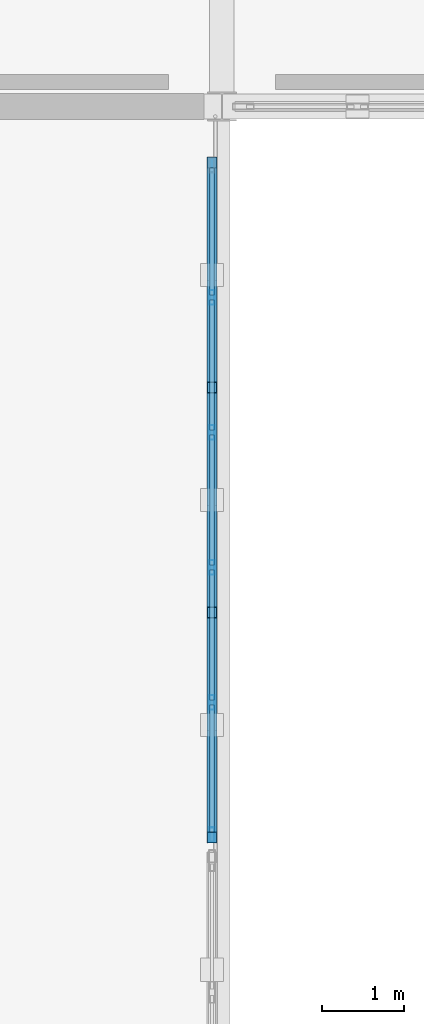
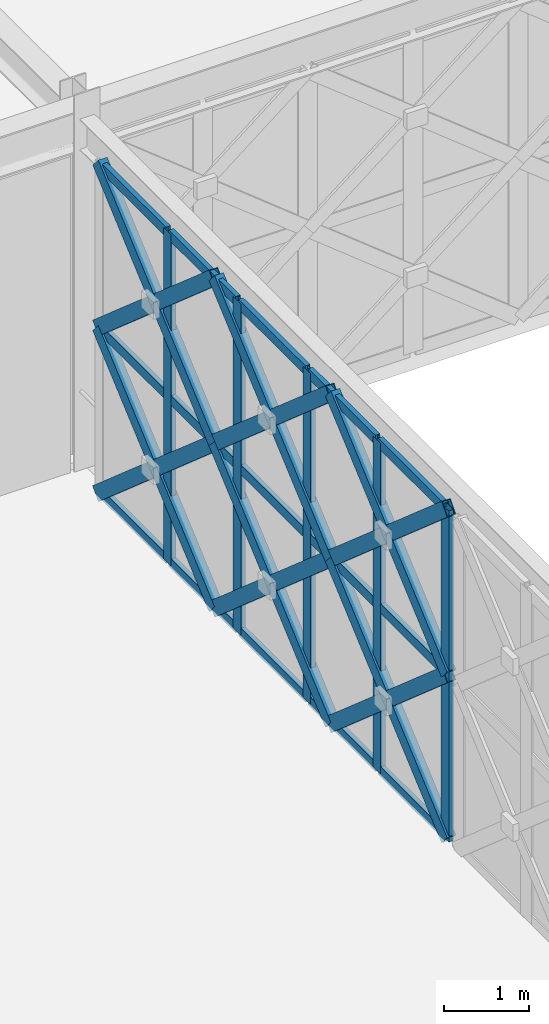
# One storey, part 109 of 166: 38 members, 1 element without a shape of its own.
"""IFC4 building model written with IfcOpenShell, lengths in metres."""

from ifc_helpers import new_model, si_unit, direction, frame, origin, origin_2d, place, context, subcontext, project, spatial, hollow_rectangle, extrude, material, material_profile, profile_set, type_object, element, aggregate, save


model = new_model("IFC4")

# Units and contexts
model_context = context("Model", 3, precision=1e-05, world=origin(), true_north=direction((0.0, 1.0)))
body_context = subcontext(model_context, "Body", "Model", "MODEL_VIEW")
ifc_project = project(units=[si_unit("LENGTHUNIT", "METRE"), si_unit("AREAUNIT", "SQUARE_METRE"), si_unit("VOLUMEUNIT", "CUBIC_METRE"), si_unit("PLANEANGLEUNIT", "RADIAN"), si_unit("MASSUNIT", "GRAM", prefix="KILO")], contexts=[model_context])

# Site, building, storey
site_placement = place(None, origin())
site = spatial("IfcSite", under=ifc_project, at=site_placement, CompositionType="ELEMENT")
building_placement = place(site_placement, origin())
building = spatial("IfcBuilding", under=site, at=building_placement, Name="Haizhuo Lancet Aquarium", CompositionType="ELEMENT")
storey_placement = place(building_placement, frame((0.0, 0.0, 5.39990234375)))
storey = spatial("IfcBuildingStorey", under=building, at=storey_placement, Name="L01", CompositionType="ELEMENT", Elevation=5.39990234375)

# Curtain wall, members
ifc_material_1 = material(Name="Aluminium 6063-T6", Category="aluminium")
curtain_wall_type = type_object("IfcCurtainWallType", Name="CWO-8200x4750", PredefinedType="NOTDEFINED", material=ifc_material_1)
curtain_wall_placement = place(storey_placement, origin())
curtain_wall = element("IfcCurtainWall", 1, at=curtain_wall_placement, inside=storey, type_object=curtain_wall_type, Name="L01 curtain wall CW-SB-02-E2", PredefinedType="NOTDEFINED")
ifc_material_profile_1 = material_profile(ifc_material_1, hollow_rectangle(XDim=0.06494140625, YDim=0.179931640625, WallThickness=0.00390625, at=origin_2d()), Name="ALU-M 65x180x4")
ifc_profile_set_1 = profile_set([ifc_material_profile_1], Name="Aluminium 6063-T6")
member_type_1 = type_object("IfcMemberType", Name="CW-MUL-1", PredefinedType="MULLION", material=ifc_profile_set_1)
member_1_placement = place(storey_placement, frame((62.8798828125, 6.679931640625, 0.0), z_axis=(0.0, 0.0, 1.0), x_axis=(1.0, 0.0, 0.0)))
member_1 = element("IfcMember", 2, at=member_1_placement, type_object=member_type_1, Name="CWO-82x47 mullion 2", PredefinedType="MULLION", context=body_context, shape_type="SweptSolid", body=[
    extrude(hollow_rectangle(XDim=0.06494140625, YDim=0.179931640625, WallThickness=0.00390625, at=origin_2d()), origin(), (0.0, 0.0, 1.0), 4.75),
])
member_2_placement = place(storey_placement, frame((62.8798828125, 5.0400390625, 0.0), z_axis=(0.0, 0.0, 1.0), x_axis=(1.0, 0.0, 0.0)))
member_2 = element("IfcMember", 3, at=member_2_placement, type_object=member_type_1, Name="CWO-82x47 mullion 3", PredefinedType="MULLION", context=body_context, shape_type="SweptSolid", body=[
    extrude(hollow_rectangle(XDim=0.06494140625, YDim=0.179931640625, WallThickness=0.00390625, at=origin_2d()), origin(), (0.0, 0.0, 1.0), 4.75),
])
member_3_placement = place(storey_placement, frame((62.8798828125, 3.39990234375, 0.0), z_axis=(0.0, 0.0, 1.0), x_axis=(1.0, 0.0, 0.0)))
member_3 = element("IfcMember", 4, at=member_3_placement, type_object=member_type_1, Name="CWO-82x47 mullion 4", PredefinedType="MULLION", context=body_context, shape_type="SweptSolid", body=[
    extrude(hollow_rectangle(XDim=0.06494140625, YDim=0.179931640625, WallThickness=0.00390625, at=origin_2d()), origin(), (0.0, 0.0, 1.0), 4.75),
])
member_4_placement = place(storey_placement, frame((62.8798828125, 1.760009765625, 0.0), z_axis=(0.0, 0.0, 1.0), x_axis=(1.0, 0.0, 0.0)))
member_4 = element("IfcMember", 5, at=member_4_placement, type_object=member_type_1, Name="CWO-82x47 mullion 5", PredefinedType="MULLION", context=body_context, shape_type="SweptSolid", body=[
    extrude(hollow_rectangle(XDim=0.06494140625, YDim=0.179931640625, WallThickness=0.00390625, at=origin_2d()), origin(), (0.0, 0.0, 1.0), 4.75),
])
member_5_placement = place(storey_placement, frame((62.8798828125, 0.152099609375, 0.0), z_axis=(0.0, 0.0, 1.0), x_axis=(1.0, 0.0, 0.0)))
member_5 = element("IfcMember", 6, at=member_5_placement, type_object=member_type_1, Name="CWO-82x47 mullion 6", PredefinedType="MULLION", context=body_context, shape_type="SweptSolid", body=[
    extrude(hollow_rectangle(XDim=0.06494140625, YDim=0.179931640625, WallThickness=0.00390625, at=origin_2d()), origin(), (0.0, 0.0, 1.0), 4.75),
])
ifc_material_profile_2 = material_profile(ifc_material_1, hollow_rectangle(XDim=0.06494140625, YDim=0.139892578125, WallThickness=0.00390625, at=origin_2d()), Name="ALU-T 65x140x4")
ifc_profile_set_2 = profile_set([ifc_material_profile_2], Name="Aluminium 6063-T6")
member_type_2 = type_object("IfcMemberType", Name="CW-TRN-1", PredefinedType="NOTDEFINED", material=ifc_profile_set_2)
member_6_placement = place(storey_placement, frame((62.8798828125, 8.2548828125, 0.033203125), z_axis=(0.0, -1.0, 0.0), x_axis=(1.0, 0.0, 0.0)))
member_6 = element("IfcMember", 7, at=member_6_placement, type_object=member_type_2, Name="CWO-82x47 transom 1.1", ObjectType="TRANSOM", PredefinedType="USERDEFINED", context=body_context, shape_type="SweptSolid", body=[
    extrude(hollow_rectangle(XDim=0.06494140625, YDim=0.139892578125, WallThickness=0.00390625, at=origin_2d()), origin(), (0.0, 0.0, 1.0), 1.5419921875),
])
member_7_placement = place(storey_placement, frame((62.8798828125, 8.2548828125, 2.375), z_axis=(0.0, -1.0, 0.0), x_axis=(1.0, 0.0, 0.0)))
member_7 = element("IfcMember", 8, at=member_7_placement, type_object=member_type_2, Name="CWO-82x47 transom 1.2", ObjectType="TRANSOM", PredefinedType="USERDEFINED", context=body_context, shape_type="SweptSolid", body=[
    extrude(hollow_rectangle(XDim=0.06494140625, YDim=0.139892578125, WallThickness=0.00390625, at=origin_2d()), origin(), (0.0, 0.0, 1.0), 1.5419921875),
])
member_8_placement = place(storey_placement, frame((62.8798828125, 8.2548828125, 4.717041015625), z_axis=(0.0, -1.0, 0.0), x_axis=(1.0, 0.0, 0.0)))
member_8 = element("IfcMember", 9, at=member_8_placement, type_object=member_type_2, Name="CWO-82x47 transom 1.3", ObjectType="TRANSOM", PredefinedType="USERDEFINED", context=body_context, shape_type="SweptSolid", body=[
    extrude(hollow_rectangle(XDim=0.06494140625, YDim=0.139892578125, WallThickness=0.00390625, at=origin_2d()), origin(), (0.0, 0.0, 1.0), 1.5419921875),
])
member_9_placement = place(storey_placement, frame((62.8798828125, 6.64697265625, 0.033203125), z_axis=(0.0, -1.0, 0.0), x_axis=(1.0, 0.0, 0.0)))
member_9 = element("IfcMember", 10, at=member_9_placement, type_object=member_type_2, Name="CWO-82x47 transom 2.1", ObjectType="TRANSOM", PredefinedType="USERDEFINED", context=body_context, shape_type="SweptSolid", body=[
    extrude(hollow_rectangle(XDim=0.06494140625, YDim=0.139892578125, WallThickness=0.00390625, at=origin_2d()), origin(), (0.0, 0.0, 1.0), 1.574951171875),
])
member_10_placement = place(storey_placement, frame((62.8798828125, 6.64697265625, 2.375), z_axis=(0.0, -1.0, 0.0), x_axis=(1.0, 0.0, 0.0)))
member_10 = element("IfcMember", 11, at=member_10_placement, type_object=member_type_2, Name="CWO-82x47 transom 2.2", ObjectType="TRANSOM", PredefinedType="USERDEFINED", context=body_context, shape_type="SweptSolid", body=[
    extrude(hollow_rectangle(XDim=0.06494140625, YDim=0.139892578125, WallThickness=0.00390625, at=origin_2d()), origin(), (0.0, 0.0, 1.0), 1.574951171875),
])
member_11_placement = place(storey_placement, frame((62.8798828125, 6.64697265625, 4.717041015625), z_axis=(0.0, -1.0, 0.0), x_axis=(1.0, 0.0, 0.0)))
member_11 = element("IfcMember", 12, at=member_11_placement, type_object=member_type_2, Name="CWO-82x47 transom 2.3", ObjectType="TRANSOM", PredefinedType="USERDEFINED", context=body_context, shape_type="SweptSolid", body=[
    extrude(hollow_rectangle(XDim=0.06494140625, YDim=0.139892578125, WallThickness=0.00390625, at=origin_2d()), origin(), (0.0, 0.0, 1.0), 1.574951171875),
])
member_12_placement = place(storey_placement, frame((62.8798828125, 5.008056640625, 0.033203125), z_axis=(0.0, -1.0, 0.0), x_axis=(1.0, 0.0, 0.0)))
member_12 = element("IfcMember", 13, at=member_12_placement, type_object=member_type_2, Name="CWO-82x47 transom 3.1", ObjectType="TRANSOM", PredefinedType="USERDEFINED", context=body_context, shape_type="SweptSolid", body=[
    extrude(hollow_rectangle(XDim=0.06494140625, YDim=0.139892578125, WallThickness=0.00390625, at=origin_2d()), origin(), (0.0, 0.0, 1.0), 1.574951171875),
])
member_13_placement = place(storey_placement, frame((62.8798828125, 5.008056640625, 2.375), z_axis=(0.0, -1.0, 0.0), x_axis=(1.0, 0.0, 0.0)))
member_13 = element("IfcMember", 14, at=member_13_placement, type_object=member_type_2, Name="CWO-82x47 transom 3.2", ObjectType="TRANSOM", PredefinedType="USERDEFINED", context=body_context, shape_type="SweptSolid", body=[
    extrude(hollow_rectangle(XDim=0.06494140625, YDim=0.139892578125, WallThickness=0.00390625, at=origin_2d()), origin(), (0.0, 0.0, 1.0), 1.574951171875),
])
member_14_placement = place(storey_placement, frame((62.8798828125, 5.008056640625, 4.717041015625), z_axis=(0.0, -1.0, 0.0), x_axis=(1.0, 0.0, 0.0)))
member_14 = element("IfcMember", 15, at=member_14_placement, type_object=member_type_2, Name="CWO-82x47 transom 3.3", ObjectType="TRANSOM", PredefinedType="USERDEFINED", context=body_context, shape_type="SweptSolid", body=[
    extrude(hollow_rectangle(XDim=0.06494140625, YDim=0.139892578125, WallThickness=0.00390625, at=origin_2d()), origin(), (0.0, 0.0, 1.0), 1.574951171875),
])
member_15_placement = place(storey_placement, frame((62.8798828125, 3.367919921875, 0.033203125), z_axis=(0.0, -1.0, 0.0), x_axis=(1.0, 0.0, 0.0)))
member_15 = element("IfcMember", 16, at=member_15_placement, type_object=member_type_2, Name="CWO-82x47 transom 4.1", ObjectType="TRANSOM", PredefinedType="USERDEFINED", context=body_context, shape_type="SweptSolid", body=[
    extrude(hollow_rectangle(XDim=0.06494140625, YDim=0.139892578125, WallThickness=0.00390625, at=origin_2d()), origin(), (0.0, 0.0, 1.0), 1.575927734375),
])
member_16_placement = place(storey_placement, frame((62.8798828125, 3.367919921875, 2.375), z_axis=(0.0, -1.0, 0.0), x_axis=(1.0, 0.0, 0.0)))
member_16 = element("IfcMember", 17, at=member_16_placement, type_object=member_type_2, Name="CWO-82x47 transom 4.2", ObjectType="TRANSOM", PredefinedType="USERDEFINED", context=body_context, shape_type="SweptSolid", body=[
    extrude(hollow_rectangle(XDim=0.06494140625, YDim=0.139892578125, WallThickness=0.00390625, at=origin_2d()), origin(), (0.0, 0.0, 1.0), 1.575927734375),
])
member_17_placement = place(storey_placement, frame((62.8798828125, 3.367919921875, 4.717041015625), z_axis=(0.0, -1.0, 0.0), x_axis=(1.0, 0.0, 0.0)))
member_17 = element("IfcMember", 18, at=member_17_placement, type_object=member_type_2, Name="CWO-82x47 transom 4.3", ObjectType="TRANSOM", PredefinedType="USERDEFINED", context=body_context, shape_type="SweptSolid", body=[
    extrude(hollow_rectangle(XDim=0.06494140625, YDim=0.139892578125, WallThickness=0.00390625, at=origin_2d()), origin(), (0.0, 0.0, 1.0), 1.575927734375),
])
member_18_placement = place(storey_placement, frame((62.8798828125, 1.72802734375, 0.033203125), z_axis=(0.0, -1.0, 0.0), x_axis=(1.0, 0.0, 0.0)))
member_18 = element("IfcMember", 19, at=member_18_placement, type_object=member_type_2, Name="CWO-82x47 transom 5.1", ObjectType="TRANSOM", PredefinedType="USERDEFINED", context=body_context, shape_type="SweptSolid", body=[
    extrude(hollow_rectangle(XDim=0.06494140625, YDim=0.139892578125, WallThickness=0.00390625, at=origin_2d()), origin(), (0.0, 0.0, 1.0), 1.54296875),
])
member_19_placement = place(storey_placement, frame((62.8798828125, 1.72802734375, 2.375), z_axis=(0.0, -1.0, 0.0), x_axis=(1.0, 0.0, 0.0)))
member_19 = element("IfcMember", 20, at=member_19_placement, type_object=member_type_2, Name="CWO-82x47 transom 5.2", ObjectType="TRANSOM", PredefinedType="USERDEFINED", context=body_context, shape_type="SweptSolid", body=[
    extrude(hollow_rectangle(XDim=0.06494140625, YDim=0.139892578125, WallThickness=0.00390625, at=origin_2d()), origin(), (0.0, 0.0, 1.0), 1.54296875),
])
member_20_placement = place(storey_placement, frame((62.8798828125, 1.72802734375, 4.717041015625), z_axis=(0.0, -1.0, 0.0), x_axis=(1.0, 0.0, 0.0)))
member_20 = element("IfcMember", 21, at=member_20_placement, type_object=member_type_2, Name="CWO-82x47 transom 5.3", ObjectType="TRANSOM", PredefinedType="USERDEFINED", context=body_context, shape_type="SweptSolid", body=[
    extrude(hollow_rectangle(XDim=0.06494140625, YDim=0.139892578125, WallThickness=0.00390625, at=origin_2d()), origin(), (0.0, 0.0, 1.0), 1.54296875),
])
aggregate(curtain_wall, [member_1, member_2, member_3, member_4, member_5, member_6, member_7, member_8, member_9, member_10, member_11, member_12, member_13, member_14, member_15, member_16, member_17, member_18, member_19, member_20])

# Members
ifc_material_2 = material(Name="Steel S355", Category="steel")
ifc_material_profile_3 = material_profile(ifc_material_2, hollow_rectangle(XDim=0.1201171875, YDim=0.199951171875, WallThickness=0.008056640625, at=origin_2d()), Name="RHS 120x200x8")
ifc_profile_set_3 = profile_set([ifc_material_profile_3], Name="Steel S355")
member_type_3 = type_object("IfcMemberType", Name="MEM-LB-RHS120x200", PredefinedType="BRACE", material=ifc_profile_set_3)
member_21_placement = place(storey_placement, frame((62.8798828125, 8.320068359375, 0.0), z_axis=(0.0, -0.754831923432, 0.655918262719), x_axis=(1.0, 0.0, 0.0)))
element("IfcMember", 22, at=member_21_placement, inside=storey, type_object=member_type_3, Name="Gothic lancet continuous diagonal brace CW-SB-02-E2 1A", PredefinedType="BRACE", context=body_context, shape_type="SweptSolid", body=[
    extrude(hollow_rectangle(XDim=0.1201171875, YDim=0.199951171875, WallThickness=0.008056640625, at=origin_2d()), origin(), (0.0, 0.0, 1.0), 3.620849609375),
])
member_22_placement = place(storey_placement, frame((62.8798828125, 5.5869140625, 0.0), z_axis=(0.0, 0.754843428724, 0.655905022173), x_axis=(-1.0, 0.0, 0.0)))
element("IfcMember", 23, at=member_22_placement, inside=storey, type_object=member_type_3, Name="Gothic lancet split diagonal brace CW-SB-02-E2 1B1", PredefinedType="BRACE", context=body_context, shape_type="SweptSolid", body=[
    extrude(hollow_rectangle(XDim=0.1201171875, YDim=0.199951171875, WallThickness=0.008056640625, at=origin_2d()), origin(), (0.0, 0.0, 1.0), 1.811279296875),
])
member_23_placement = place(storey_placement, frame((62.8798828125, 6.9541015625, 1.18798828125), z_axis=(0.0, 0.754820407976, 0.655931514491), x_axis=(-1.0, 0.0, 0.0)))
element("IfcMember", 24, at=member_23_placement, inside=storey, type_object=member_type_3, Name="Gothic lancet split diagonal brace CW-SB-02-E2 1B2", PredefinedType="BRACE", context=body_context, shape_type="SweptSolid", body=[
    extrude(hollow_rectangle(XDim=0.1201171875, YDim=0.199951171875, WallThickness=0.008056640625, at=origin_2d()), origin(), (0.0, 0.0, 1.0), 1.8095703125),
])
member_24_placement = place(storey_placement, frame((62.8798828125, 8.320068359375, 2.375), z_axis=(0.0, -0.754831923432, 0.655918262719), x_axis=(1.0, 0.0, 0.0)))
element("IfcMember", 25, at=member_24_placement, inside=storey, type_object=member_type_3, Name="Gothic lancet continuous diagonal brace CW-SB-02-E2 2A", PredefinedType="BRACE", context=body_context, shape_type="SweptSolid", body=[
    extrude(hollow_rectangle(XDim=0.1201171875, YDim=0.199951171875, WallThickness=0.008056640625, at=origin_2d()), origin(), (0.0, 0.0, 1.0), 3.620849609375),
])
member_25_placement = place(storey_placement, frame((62.8798828125, 5.5869140625, 2.375), z_axis=(0.0, 0.754843428724, 0.655905022173), x_axis=(-1.0, 0.0, 0.0)))
element("IfcMember", 26, at=member_25_placement, inside=storey, type_object=member_type_3, Name="Gothic lancet split diagonal brace CW-SB-02-E2 2B1", PredefinedType="BRACE", context=body_context, shape_type="SweptSolid", body=[
    extrude(hollow_rectangle(XDim=0.1201171875, YDim=0.199951171875, WallThickness=0.008056640625, at=origin_2d()), origin(), (0.0, 0.0, 1.0), 1.811279296875),
])
member_26_placement = place(storey_placement, frame((62.8798828125, 6.9541015625, 3.56298828125), z_axis=(0.0, 0.754820407976, 0.655931514491), x_axis=(-1.0, 0.0, 0.0)))
element("IfcMember", 27, at=member_26_placement, inside=storey, type_object=member_type_3, Name="Gothic lancet split diagonal brace CW-SB-02-E2 2B2", PredefinedType="BRACE", context=body_context, shape_type="SweptSolid", body=[
    extrude(hollow_rectangle(XDim=0.1201171875, YDim=0.199951171875, WallThickness=0.008056640625, at=origin_2d()), origin(), (0.0, 0.0, 1.0), 1.8095703125),
])
member_27_placement = place(storey_placement, frame((62.8798828125, 5.5869140625, 0.0), z_axis=(0.0, -0.754918929071, 0.655818123058), x_axis=(1.0, 0.0, 0.0)))
element("IfcMember", 28, at=member_27_placement, inside=storey, type_object=member_type_3, Name="Gothic lancet continuous diagonal brace CW-SB-02-E2 3A", PredefinedType="BRACE", context=body_context, shape_type="SweptSolid", body=[
    extrude(hollow_rectangle(XDim=0.1201171875, YDim=0.199951171875, WallThickness=0.008056640625, at=origin_2d()), origin(), (0.0, 0.0, 1.0), 3.621337890625),
])
member_28_placement = place(storey_placement, frame((62.8798828125, 2.85302734375, 0.0), z_axis=(0.0, 0.754785430186, 0.655971763401), x_axis=(-1.0, 0.0, 0.0)))
element("IfcMember", 29, at=member_28_placement, inside=storey, type_object=member_type_3, Name="Gothic lancet split diagonal brace CW-SB-02-E2 3B1", PredefinedType="BRACE", context=body_context, shape_type="SweptSolid", body=[
    extrude(hollow_rectangle(XDim=0.1201171875, YDim=0.199951171875, WallThickness=0.008056640625, at=origin_2d()), origin(), (0.0, 0.0, 1.0), 1.81103515625),
])
member_29_placement = place(storey_placement, frame((62.8798828125, 4.219970703125, 1.18798828125), z_axis=(0.0, 0.755052443892, 0.655664401179), x_axis=(-1.0, 0.0, 0.0)))
element("IfcMember", 30, at=member_29_placement, inside=storey, type_object=member_type_3, Name="Gothic lancet split diagonal brace CW-SB-02-E2 3B2", PredefinedType="BRACE", context=body_context, shape_type="SweptSolid", body=[
    extrude(hollow_rectangle(XDim=0.1201171875, YDim=0.199951171875, WallThickness=0.008056640625, at=origin_2d()), origin(), (0.0, 0.0, 1.0), 1.810302734375),
])
member_30_placement = place(storey_placement, frame((62.8798828125, 5.5869140625, 2.375), z_axis=(0.0, -0.754918929071, 0.655818123058), x_axis=(1.0, 0.0, 0.0)))
element("IfcMember", 31, at=member_30_placement, inside=storey, type_object=member_type_3, Name="Gothic lancet continuous diagonal brace CW-SB-02-E2 4A", PredefinedType="BRACE", context=body_context, shape_type="SweptSolid", body=[
    extrude(hollow_rectangle(XDim=0.1201171875, YDim=0.199951171875, WallThickness=0.008056640625, at=origin_2d()), origin(), (0.0, 0.0, 1.0), 3.621337890625),
])
member_31_placement = place(storey_placement, frame((62.8798828125, 2.85302734375, 2.375), z_axis=(0.0, 0.754785430186, 0.655971763401), x_axis=(-1.0, 0.0, 0.0)))
element("IfcMember", 32, at=member_31_placement, inside=storey, type_object=member_type_3, Name="Gothic lancet split diagonal brace CW-SB-02-E2 4B1", PredefinedType="BRACE", context=body_context, shape_type="SweptSolid", body=[
    extrude(hollow_rectangle(XDim=0.1201171875, YDim=0.199951171875, WallThickness=0.008056640625, at=origin_2d()), origin(), (0.0, 0.0, 1.0), 1.81103515625),
])
member_32_placement = place(storey_placement, frame((62.8798828125, 4.219970703125, 3.56298828125), z_axis=(0.0, 0.755052443892, 0.655664401179), x_axis=(-1.0, 0.0, 0.0)))
element("IfcMember", 33, at=member_32_placement, inside=storey, type_object=member_type_3, Name="Gothic lancet split diagonal brace CW-SB-02-E2 4B2", PredefinedType="BRACE", context=body_context, shape_type="SweptSolid", body=[
    extrude(hollow_rectangle(XDim=0.1201171875, YDim=0.199951171875, WallThickness=0.008056640625, at=origin_2d()), origin(), (0.0, 0.0, 1.0), 1.810302734375),
])
member_33_placement = place(storey_placement, frame((62.8798828125, 2.85302734375, 0.0), z_axis=(0.0, -0.754802912694, 0.655951646837), x_axis=(1.0, 0.0, 0.0)))
element("IfcMember", 34, at=member_33_placement, inside=storey, type_object=member_type_3, Name="Gothic lancet continuous diagonal brace CW-SB-02-E2 5A", PredefinedType="BRACE", context=body_context, shape_type="SweptSolid", body=[
    extrude(hollow_rectangle(XDim=0.1201171875, YDim=0.199951171875, WallThickness=0.008056640625, at=origin_2d()), origin(), (0.0, 0.0, 1.0), 3.62060546875),
])
member_34_placement = place(storey_placement, frame((62.8798828125, 0.1201171875, 0.0), z_axis=(0.0, 0.754785430186, 0.655971763401), x_axis=(-1.0, 0.0, 0.0)))
element("IfcMember", 35, at=member_34_placement, inside=storey, type_object=member_type_3, Name="Gothic lancet split diagonal brace CW-SB-02-E2 5B1", PredefinedType="BRACE", context=body_context, shape_type="SweptSolid", body=[
    extrude(hollow_rectangle(XDim=0.1201171875, YDim=0.199951171875, WallThickness=0.008056640625, at=origin_2d()), origin(), (0.0, 0.0, 1.0), 1.81103515625),
])
member_35_placement = place(storey_placement, frame((62.8798828125, 1.487060546875, 1.18798828125), z_axis=(0.0, 0.754820407976, 0.655931514491), x_axis=(-1.0, 0.0, 0.0)))
element("IfcMember", 36, at=member_35_placement, inside=storey, type_object=member_type_3, Name="Gothic lancet split diagonal brace CW-SB-02-E2 5B2", PredefinedType="BRACE", context=body_context, shape_type="SweptSolid", body=[
    extrude(hollow_rectangle(XDim=0.1201171875, YDim=0.199951171875, WallThickness=0.008056640625, at=origin_2d()), origin(), (0.0, 0.0, 1.0), 1.8095703125),
])
member_36_placement = place(storey_placement, frame((62.8798828125, 2.85302734375, 2.375), z_axis=(0.0, -0.754802912694, 0.655951646837), x_axis=(1.0, 0.0, 0.0)))
element("IfcMember", 37, at=member_36_placement, inside=storey, type_object=member_type_3, Name="Gothic lancet continuous diagonal brace CW-SB-02-E2 6A", PredefinedType="BRACE", context=body_context, shape_type="SweptSolid", body=[
    extrude(hollow_rectangle(XDim=0.1201171875, YDim=0.199951171875, WallThickness=0.008056640625, at=origin_2d()), origin(), (0.0, 0.0, 1.0), 3.62060546875),
])
member_37_placement = place(storey_placement, frame((62.8798828125, 0.1201171875, 2.375), z_axis=(0.0, 0.754785430186, 0.655971763401), x_axis=(-1.0, 0.0, 0.0)))
element("IfcMember", 38, at=member_37_placement, inside=storey, type_object=member_type_3, Name="Gothic lancet split diagonal brace CW-SB-02-E2 6B1", PredefinedType="BRACE", context=body_context, shape_type="SweptSolid", body=[
    extrude(hollow_rectangle(XDim=0.1201171875, YDim=0.199951171875, WallThickness=0.008056640625, at=origin_2d()), origin(), (0.0, 0.0, 1.0), 1.81103515625),
])
member_38_placement = place(storey_placement, frame((62.8798828125, 1.487060546875, 3.56298828125), z_axis=(0.0, 0.754820407976, 0.655931514491), x_axis=(-1.0, 0.0, 0.0)))
element("IfcMember", 39, at=member_38_placement, inside=storey, type_object=member_type_3, Name="Gothic lancet split diagonal brace CW-SB-02-E2 6B2", PredefinedType="BRACE", context=body_context, shape_type="SweptSolid", body=[
    extrude(hollow_rectangle(XDim=0.1201171875, YDim=0.199951171875, WallThickness=0.008056640625, at=origin_2d()), origin(), (0.0, 0.0, 1.0), 1.8095703125),
])

save(model, "model.ifc")
